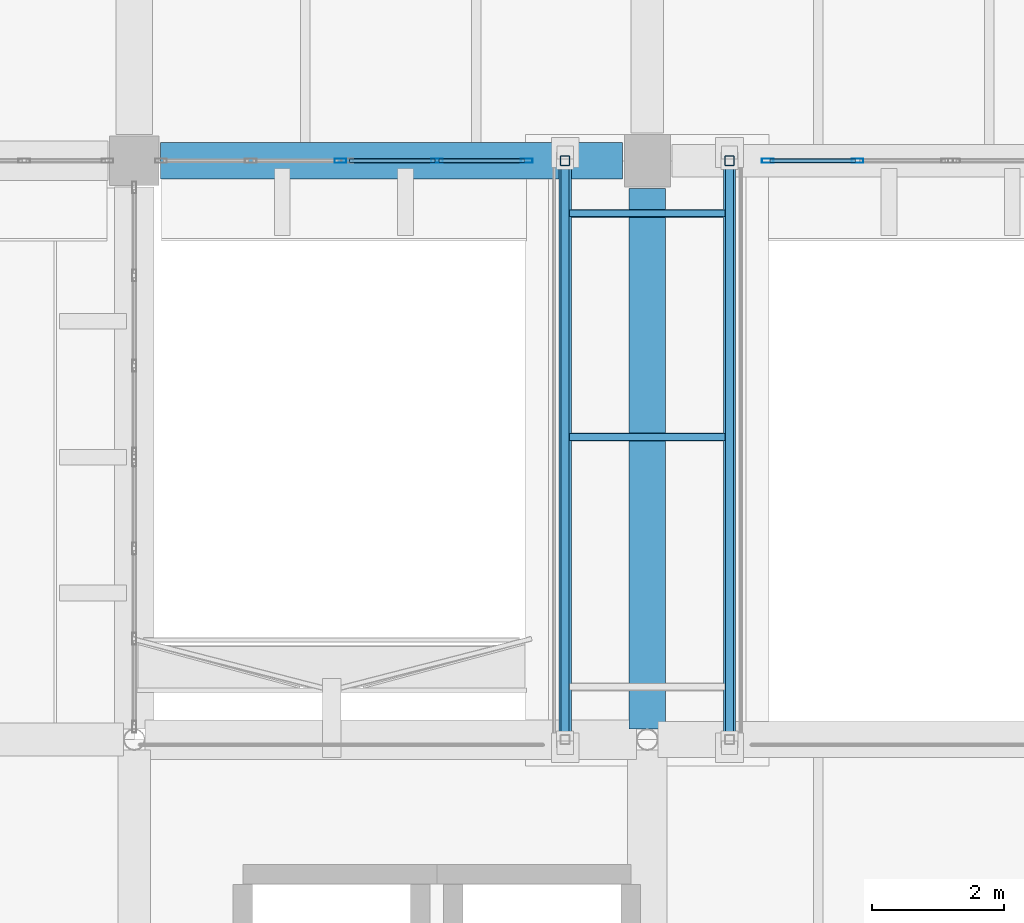
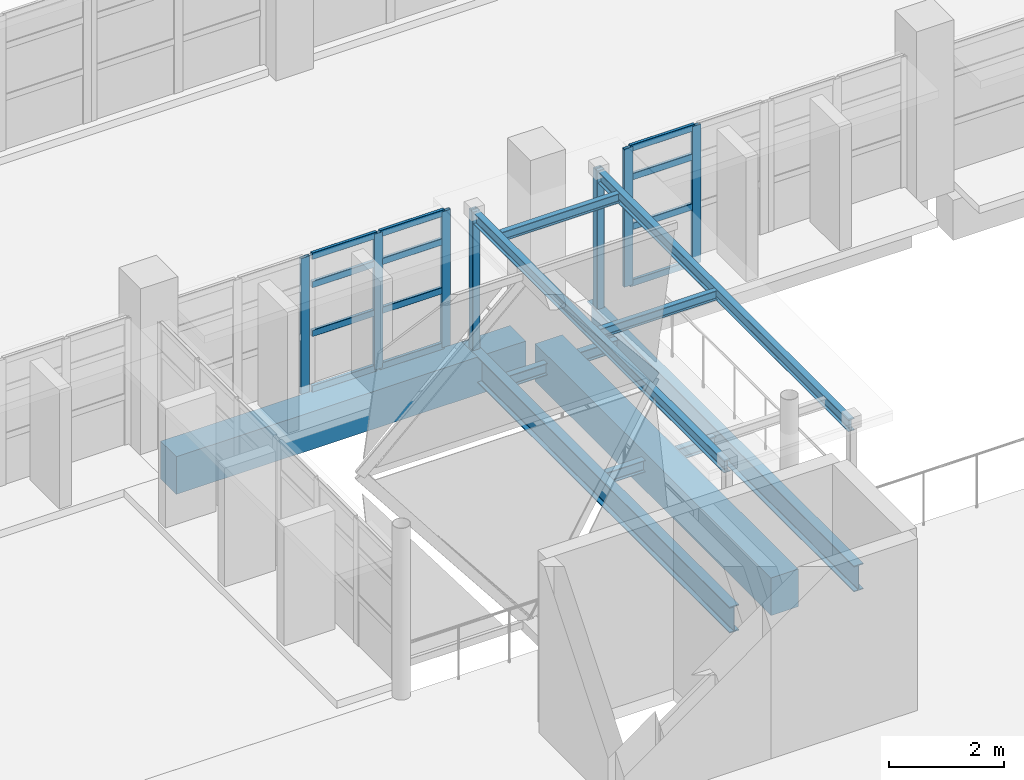
# One storey, part 24 of 80: 19 members, 10 beams, 3 elements without a shape of their own.
"""IFC4 building model written with IfcOpenShell, lengths in metres."""

import ifcopenshell
import ifcopenshell.guid

model = None  # the IFC model being written
_history = None  # IfcOwnerHistory: only IFC2X3 demands one
_inside = {}  # id of a spatial element -> (the spatial element, [elements in it])
_under = {}  # id of a project, library or spatial element -> (it, [spatial elements below it])
_declared = {}  # id of a project -> (the project, [libraries it declares])
_typed = {}  # id of a type object -> (the type object, [elements of that type])
_made_of = {}  # id of a material, layer set ... -> (it, [elements and type objects made of it])


def new_model(schema):
    """Start an empty IFC model of exactly this schema.

    Asked for "IFC4X3", IfcOpenShell would pick the latest addendum, in which some entities
    have other attributes; the version numbers below select the first issue.
    IFC2X3 requires an IfcOwnerHistory on every rooted entity: one is made here for all.
    """
    global model, _history
    if schema == "IFC4X3":
        model = ifcopenshell.file(schema_version=(4, 3, 0, 0))
    else:
        model = ifcopenshell.file(schema=schema)
    _inside.clear()
    _under.clear()
    _declared.clear()
    _typed.clear()
    _made_of.clear()
    _history = None
    if model.schema == "IFC2X3":
        org = make("IfcOrganization", Name="unknown")
        user = make(
            "IfcPersonAndOrganization",
            ThePerson=make("IfcPerson", FamilyName="unknown"),
            TheOrganization=org,
        )
        app = make(
            "IfcApplication",
            ApplicationDeveloper=org,
            Version="unknown",
            ApplicationFullName="unknown",
            ApplicationIdentifier="unknown",
        )
        _history = make(
            "IfcOwnerHistory",
            OwningUser=user,
            OwningApplication=app,
            ChangeAction="ADDED",
            CreationDate=0,
        )
    return model


def make(cls, **values):
    """One entity of the class cls with the attributes given. An attribute that is None is left unset."""
    return model.create_entity(
        cls, **{name: value for name, value in values.items() if value is not None}
    )


def rooted(cls, **values):
    """An entity with a GlobalId (a new one), such as an element, a storey or a relation."""
    return make(cls, GlobalId=ifcopenshell.guid.new(), OwnerHistory=_history, **values)


def si_unit(unit_type, name, prefix=None):
    """IfcSIUnit, for example si_unit("LENGTHUNIT", "METRE", prefix="MILLI")."""
    return make("IfcSIUnit", UnitType=unit_type, Prefix=prefix, Name=name)


def assignment(units):
    """IfcUnitAssignment: the units of a project."""
    return None if units is None else make("IfcUnitAssignment", Units=units)


def point(xyz):
    """IfcCartesianPoint."""
    return None if xyz is None else make("IfcCartesianPoint", Coordinates=xyz)


def direction(xyz):
    """IfcDirection."""
    return None if xyz is None else make("IfcDirection", DirectionRatios=xyz)


def frame(location, z_axis=None, x_axis=None):
    """IfcAxis2Placement3D, a coordinate frame: its origin and axes. An axis left out is left unset."""
    return make(
        "IfcAxis2Placement3D",
        Location=point(location),
        Axis=direction(z_axis),
        RefDirection=direction(x_axis),
    )


def frame_2d(location, x_axis=None):
    """IfcAxis2Placement2D, a coordinate frame in the plane: its origin and x axis."""
    return make(
        "IfcAxis2Placement2D", Location=point(location), RefDirection=direction(x_axis)
    )


def origin():
    """The frame at (0, 0, 0) with its axes left unset."""
    return frame((0.0, 0.0, 0.0))


def origin_2d():
    """The frame at (0, 0) in the plane with its x axis left unset."""
    return frame_2d((0.0, 0.0))


def place(relative_to, where):
    """IfcLocalPlacement: puts the frame where relative to a parent placement (None: the world)."""
    return make(
        "IfcLocalPlacement", PlacementRelTo=relative_to, RelativePlacement=where
    )


def context(
    kind, dimensions, precision=None, world=None, true_north=None, identifier=None
):
    """IfcGeometricRepresentationContext, for example the 3D "Model" context."""
    return make(
        "IfcGeometricRepresentationContext",
        ContextIdentifier=identifier,
        ContextType=kind,
        CoordinateSpaceDimension=dimensions,
        Precision=precision,
        WorldCoordinateSystem=world,
        TrueNorth=true_north,
    )


def subcontext(parent, identifier, kind, view, scale=None):
    """IfcGeometricRepresentationSubContext, for example "Body" below "Model"."""
    return make(
        "IfcGeometricRepresentationSubContext",
        ContextIdentifier=identifier,
        ContextType=kind,
        ParentContext=parent,
        TargetScale=scale,
        TargetView=view,
    )


def project(units=None, contexts=None):
    """IfcProject with its units and contexts."""
    return rooted(
        "IfcProject",
        Name="project",
        RepresentationContexts=contexts,
        UnitsInContext=assignment(units),
    )


def spatial(cls, under=None, at=None, **own):
    """A site, building, storey or space (cls), placed at a placement, below another one or the project."""
    s = rooted(cls, ObjectPlacement=at, **own)
    if under is not None:
        _under.setdefault(under.id(), (under, []))[1].append(s)
    return s


def profile(cls, at=None, kind="AREA", **sizes):
    """A parametric profile (cls). Its sizes go by their IFC names, for example OverallWidth=200.0."""
    return make(cls, ProfileType=kind, Position=at, **sizes)


def rectangle(**sizes):
    """IfcRectangleProfileDef."""
    return profile("IfcRectangleProfileDef", **sizes)


def hollow_rectangle(**sizes):
    """IfcRectangleHollowProfileDef."""
    return profile("IfcRectangleHollowProfileDef", **sizes)


def i_section(**sizes):
    """IfcIShapeProfileDef."""
    return profile("IfcIShapeProfileDef", **sizes)


def extrude(swept, where, along, depth):
    """IfcExtrudedAreaSolid: the profile swept, set in the frame where, extruded along a direction by depth."""
    return make(
        "IfcExtrudedAreaSolid",
        SweptArea=swept,
        Position=where,
        ExtrudedDirection=direction(along),
        Depth=depth,
    )


def shape(context_of_items, identifier, shape_type, items):
    """IfcShapeRepresentation: the items that make up one representation, for example the "Body"."""
    return make(
        "IfcShapeRepresentation",
        ContextOfItems=context_of_items,
        RepresentationIdentifier=identifier,
        RepresentationType=shape_type,
        Items=items,
    )


def material(Name=None, Category=None):
    """IfcMaterial."""
    return make("IfcMaterial", Name=Name, Category=Category)


def material_profile(
    of_material, cross_section, Name=None, Category=None, Priority=None
):
    """IfcMaterialProfile: a cross section and its material."""
    return make(
        "IfcMaterialProfile",
        Name=Name,
        Material=of_material,
        Profile=cross_section,
        Priority=Priority,
        Category=Category,
    )


def profile_set(profiles, Name=None, composite=None):
    """IfcMaterialProfileSet."""
    return make(
        "IfcMaterialProfileSet",
        Name=Name,
        MaterialProfiles=profiles,
        CompositeProfile=composite,
    )


def made_of(thing, what):
    """Note that an element or type object is made of a material, layer set ...; save() writes the relation."""
    if what is not None:
        _made_of.setdefault(what.id(), (what, []))[1].append(thing)
    return thing


def type_object(cls, material=None, **own):
    """A type object (cls), such as IfcWallType, which elements share."""
    return made_of(rooted(cls, **own), material)


def element(
    cls,
    number,
    at=None,
    inside=None,
    cuts=None,
    type_object=None,
    material=None,
    context=None,
    identifier="Body",
    shape_type=None,
    held_by="IfcProductDefinitionShape",
    body=None,
    shapes=None,
    **own,
):
    """One element of the class cls, such as IfcWall. Its Tag is "e" and its number.

    at: its placement. inside: the storey or other place that contains it. cuts: it is an
    opening in that element (IfcRelVoidsElement). A single representation is given by context,
    identifier, shape_type and body (its items); several are given by shapes. held_by: the class
    of the entity that holds the representations. save() writes the other relations.
    """
    e = rooted(cls, Tag="e%d" % number, ObjectPlacement=at, **own)
    if body is not None:
        shapes = [shape(context, identifier, shape_type, body)]
    if shapes is not None:
        e.Representation = make(held_by, Representations=shapes)
    if inside is not None:
        _inside.setdefault(inside.id(), (inside, []))[1].append(e)
    if cuts is not None:
        rooted(
            "IfcRelVoidsElement", RelatingBuildingElement=cuts, RelatedOpeningElement=e
        )
    if type_object is not None:
        _typed.setdefault(type_object.id(), (type_object, []))[1].append(e)
    return made_of(e, material)


def aggregate(whole, parts):
    """IfcRelAggregates: a whole, such as a stair, and the parts it consists of."""
    return rooted("IfcRelAggregates", RelatingObject=whole, RelatedObjects=parts)


def save(model, path):
    """Write the relations noted so far, then the file.

    IfcRelAggregates (storeys below a building ...), IfcRelContainedInSpatialStructure (elements
    in a storey), IfcRelDefinesByType, IfcRelAssociatesMaterial and IfcRelDeclares: one each for
    every whole, place, type object, material and project.
    """
    for whole, parts in _under.values():
        aggregate(whole, parts)
    for where, things in _inside.values():
        rooted(
            "IfcRelContainedInSpatialStructure",
            RelatedElements=things,
            RelatingStructure=where,
        )
    for kind, things in _typed.values():
        rooted("IfcRelDefinesByType", RelatedObjects=things, RelatingType=kind)
    for what, things in _made_of.values():
        rooted("IfcRelAssociatesMaterial", RelatedObjects=things, RelatingMaterial=what)
    for by, libraries in _declared.values():
        rooted("IfcRelDeclares", RelatingContext=by, RelatedDefinitions=libraries)
    model.write(path)


model = new_model("IFC4")

# Units and contexts
model_context = context("Model", 3, precision=1e-05, world=origin(), true_north=direction((0.0, 1.0)))
body_context = subcontext(model_context, "Body", "Model", "MODEL_VIEW")
ifc_project = project(units=[si_unit("LENGTHUNIT", "METRE"), si_unit("AREAUNIT", "SQUARE_METRE"), si_unit("VOLUMEUNIT", "CUBIC_METRE"), si_unit("PLANEANGLEUNIT", "RADIAN"), si_unit("MASSUNIT", "GRAM", prefix="KILO")], contexts=[model_context])

# Site, building, storey
site_placement = place(None, origin())
site = spatial("IfcSite", under=ifc_project, at=site_placement, CompositionType="ELEMENT")
building_placement = place(site_placement, origin())
building = spatial("IfcBuilding", under=site, at=building_placement, Name="Varnakota Cinema and Media Centre", CompositionType="ELEMENT")
storey_placement = place(building_placement, frame((0.0, 0.0, 4.5)))
storey = spatial("IfcBuildingStorey", under=building, at=storey_placement, Name="L01", CompositionType="ELEMENT", Elevation=4.5)

# Beams
ifc_material_1 = material(Name="Concrete M35", Category="concrete")
ifc_material_profile_1 = material_profile(ifc_material_1, rectangle(XDim=0.550048828125, YDim=0.800048828125, at=origin_2d()), Name="RCB 550x800")
ifc_profile_set_1 = profile_set([ifc_material_profile_1], Name="Concrete M35")
beam_type_1 = type_object("IfcBeamType", Name="BM-RC-550x800", PredefinedType="BEAM", material=ifc_profile_set_1)
beam_1_placement = place(storey_placement, frame((52.0, 35.199951171875, -0.64990234375), z_axis=(1.0, 0.0, 0.0), x_axis=(0.0, 1.0, 0.0)))
element("IfcBeam", 1, at=beam_1_placement, inside=storey, type_object=beam_type_1, Name="L01 girder G-H/5", PredefinedType="BEAM", context=body_context, shape_type="SweptSolid", body=[
    extrude(rectangle(XDim=0.550048828125, YDim=0.800048828125, at=origin_2d()), origin(), (0.0, 0.0, 1.0), 7.02490234375),
])
beam_2_placement = place(storey_placement, frame((59.39990234375, 26.56201171875, -0.64990234375), z_axis=(0.0, 1.0, 0.0), x_axis=(-1.0, 0.0, 0.0)))
element("IfcBeam", 2, at=beam_2_placement, inside=storey, type_object=beam_type_1, Name="L01 girder H/4-5", PredefinedType="BEAM", context=body_context, shape_type="SweptSolid", body=[
    extrude(rectangle(XDim=0.550048828125, YDim=0.800048828125, at=origin_2d()), origin(), (0.0, 0.0, 1.0), 8.212890625),
])
ifc_material_2 = material(Name="Structural steel Grade 350 (E350)", Category="steel")
ifc_material_profile_2 = material_profile(ifc_material_2, i_section(OverallWidth=0.10009765625, OverallDepth=0.199951171875, WebThickness=0.005615234375, FlangeThickness=0.0107421875, FilletRadius=0.010986328125, at=origin_2d()), Name="ISMB 200")
ifc_profile_set_2 = profile_set([ifc_material_profile_2], Name="Structural steel Grade 350 (E350)")
beam_type_2 = type_object("IfcBeamType", Name="BM-ST-ISMB200", PredefinedType="JOIST", material=ifc_profile_set_2)
for number, where, z_axis, x_axis, name in (
    (3, (58.219970703125, 31.0, 2.590087890625), (1.0, 0.0, 0.0), (0.0, 1.0, 0.0), "L01 Chowk sky-bridge BR1 canopy tie 2"),
    (4, (58.219970703125, 34.39990234375, 2.590087890625), (1.0, 0.0, 0.0), (0.0, 1.0, 0.0), "L01 Chowk sky-bridge BR1 canopy tie 3"),
):
    element("IfcBeam", number, at=place(storey_placement, frame(where, z_axis=z_axis, x_axis=x_axis)), inside=storey, type_object=beam_type_2, Name=name, PredefinedType="JOIST", context=body_context, shape_type="SweptSolid", body=[
        extrude(i_section(OverallWidth=0.10009765625, OverallDepth=0.199951171875, WebThickness=0.005615234375, FlangeThickness=0.0107421875, FilletRadius=0.010986328125, at=origin_2d()), origin(), (0.0, 0.0, 1.0), 2.360107421875),
    ])
ifc_material_3 = material(Name="Structural steel Grade 350 (E350)", Category="steel")
ifc_material_profile_3 = material_profile(ifc_material_3, i_section(OverallWidth=0.125, OverallDepth=0.25, WebThickness=0.0068359375, FlangeThickness=0.012451171875, FilletRadius=0.012939453125, at=origin_2d()), Name="ISMB 250")
ifc_profile_set_3 = profile_set([ifc_material_profile_3], Name="Structural steel Grade 350 (E350)")
beam_type_3 = type_object("IfcBeamType", Name="BM-ST-ISMB250", PredefinedType="JOIST", material=ifc_profile_set_3)
for number, where, z_axis, x_axis, name in (
    (5, (58.14990234375, 26.39990234375, 2.56494140625), (0.0, 1.0, 0.0), (-1.0, 0.0, 0.0), "L01 Chowk sky-bridge BR1 canopy beam 1"),
    (6, (60.64990234375, 26.39990234375, 2.56494140625), (0.0, 1.0, 0.0), (-1.0, 0.0, 0.0), "L01 Chowk sky-bridge BR1 canopy beam 2"),
):
    element("IfcBeam", number, at=place(storey_placement, frame(where, z_axis=z_axis, x_axis=x_axis)), inside=storey, type_object=beam_type_3, Name=name, PredefinedType="JOIST", context=body_context, shape_type="SweptSolid", body=[
        extrude(i_section(OverallWidth=0.125, OverallDepth=0.25, WebThickness=0.0068359375, FlangeThickness=0.012451171875, FilletRadius=0.012939453125, at=origin_2d()), origin(), (0.0, 0.0, 1.0), 8.800048828125),
    ])
for number, where, z_axis, x_axis, name in (
    (7, (58.25, 31.0, -0.52490234375), (1.0, 0.0, 0.0), (0.0, 1.0, 0.0), "L01 Chowk sky-bridge BR1 cross beam 2"),
    (8, (58.25, 34.39990234375, -0.52490234375), (1.0, 0.0, 0.0), (0.0, 1.0, 0.0), "L01 Chowk sky-bridge BR1 cross beam 3"),
):
    element("IfcBeam", number, at=place(storey_placement, frame(where, z_axis=z_axis, x_axis=x_axis)), inside=storey, type_object=beam_type_3, Name=name, PredefinedType="JOIST", context=body_context, shape_type="SweptSolid", body=[
        extrude(i_section(OverallWidth=0.125, OverallDepth=0.25, WebThickness=0.0068359375, FlangeThickness=0.012451171875, FilletRadius=0.012939453125, at=origin_2d()), origin(), (0.0, 0.0, 1.0), 2.300048828125),
    ])
ifc_material_4 = material(Name="Structural steel Grade 350 (E350)", Category="steel")
ifc_material_profile_4 = material_profile(ifc_material_4, i_section(OverallWidth=0.18994140625, OverallDepth=0.550048828125, WebThickness=0.01123046875, FlangeThickness=0.019287109375, FilletRadius=0.01806640625, at=origin_2d()), Name="ISMB 550")
ifc_profile_set_4 = profile_set([ifc_material_profile_4], Name="Structural steel Grade 350 (E350)")
beam_type_4 = type_object("IfcBeamType", Name="BM-ST-ISMB550", PredefinedType="BEAM", material=ifc_profile_set_4)
for number, where, z_axis, x_axis, name in (
    (9, (58.14990234375, 26.14990234375, -0.52490234375), (0.0, 1.0, 0.0), (-1.0, 0.0, 0.0), "L01 Chowk sky-bridge BR1 main girder 1"),
    (10, (60.64990234375, 26.14990234375, -0.52490234375), (0.0, 1.0, 0.0), (-1.0, 0.0, 0.0), "L01 Chowk sky-bridge BR1 main girder 2"),
):
    element("IfcBeam", number, at=place(storey_placement, frame(where, z_axis=z_axis, x_axis=x_axis)), inside=storey, type_object=beam_type_4, Name=name, PredefinedType="BEAM", context=body_context, shape_type="SweptSolid", body=[
        extrude(i_section(OverallWidth=0.18994140625, OverallDepth=0.550048828125, WebThickness=0.01123046875, FlangeThickness=0.019287109375, FilletRadius=0.01806640625, at=origin_2d()), origin(), (0.0, 0.0, 1.0), 9.300048828125),
    ])

# Curtain wall, members
ifc_material_5 = material(Name="Thermally broken anodised aluminium AW-6063", Category="aluminium")
curtain_wall_type_1 = type_object("IfcCurtainWallType", Name="CW-STD-279x288", PredefinedType="USERDEFINED", material=ifc_material_5)
curtain_wall_1_placement = place(storey_placement, origin())
curtain_wall_1 = element("IfcCurtainWall", 11, at=curtain_wall_1_placement, inside=storey, type_object=curtain_wall_type_1, Name="L01 curtain wall CW-L01-LINK-S-W-01-1", ObjectType="UNITISED CURTAIN WALL", PredefinedType="USERDEFINED")
ifc_material_6 = material(Name="Thermally broken anodised aluminium AW-6063", Category="aluminium")
ifc_material_profile_5 = material_profile(ifc_material_6, hollow_rectangle(XDim=0.06494140625, YDim=0.179931640625, WallThickness=0.00390625, InnerFilletRadius=0.00390625, OuterFilletRadius=0.008056640625, at=origin_2d()), Name="AL-MULLION 180x65x4")
ifc_profile_set_5 = profile_set([ifc_material_profile_5], Name="Thermally broken anodised aluminium AW-6063")
member_type_1 = type_object("IfcMemberType", Name="CWM-AL-180", PredefinedType="MULLION", material=ifc_profile_set_5)
member_1_placement = place(storey_placement, frame((57.5673828125, 35.199951171875, 0.0), z_axis=(0.0, 0.0, 1.0), x_axis=(0.0, -1.0, 0.0)))
member_1 = element("IfcMember", 12, at=member_1_placement, type_object=member_type_1, Name="CW20 mullion 1", PredefinedType="MULLION", context=body_context, shape_type="SweptSolid", body=[
    extrude(hollow_rectangle(XDim=0.06494140625, YDim=0.179931640625, WallThickness=0.00390625, InnerFilletRadius=0.00390625, OuterFilletRadius=0.008056640625, at=origin_2d()), origin(), (0.0, 0.0, 1.0), 2.885009765625),
])
member_2_placement = place(storey_placement, frame((56.203857421875, 35.199951171875, 0.0), z_axis=(0.0, 0.0, 1.0), x_axis=(0.0, -1.0, 0.0)))
member_2 = element("IfcMember", 13, at=member_2_placement, type_object=member_type_1, Name="CW20 mullion 2", PredefinedType="MULLION", context=body_context, shape_type="SweptSolid", body=[
    extrude(hollow_rectangle(XDim=0.06494140625, YDim=0.179931640625, WallThickness=0.00390625, InnerFilletRadius=0.00390625, OuterFilletRadius=0.008056640625, at=origin_2d()), origin(), (0.0, 0.0, 1.0), 2.885009765625),
])

# Curtain wall, member
curtain_wall_2_placement = place(storey_placement, origin())
curtain_wall_2 = element("IfcCurtainWall", 14, at=curtain_wall_2_placement, inside=storey, type_object=curtain_wall_type_1, Name="L01 curtain wall CW-L01-LINK-S-W-01-2", ObjectType="UNITISED CURTAIN WALL", PredefinedType="USERDEFINED")
member_3_placement = place(storey_placement, frame((54.735107421875, 35.199951171875, 0.0), z_axis=(0.0, 0.0, 1.0), x_axis=(0.0, -1.0, 0.0)))
member_3 = element("IfcMember", 15, at=member_3_placement, type_object=member_type_1, Name="CW20 mullion 1", PredefinedType="MULLION", context=body_context, shape_type="SweptSolid", body=[
    extrude(hollow_rectangle(XDim=0.06494140625, YDim=0.179931640625, WallThickness=0.00390625, InnerFilletRadius=0.00390625, OuterFilletRadius=0.008056640625, at=origin_2d()), origin(), (0.0, 0.0, 1.0), 2.885009765625),
])
aggregate(curtain_wall_2, [member_3])

# Curtain wall, members
ifc_material_7 = material(Name="Thermally broken anodised aluminium AW-6063", Category="aluminium")
curtain_wall_type_2 = type_object("IfcCurtainWallType", Name="CW-STD-279x294", PredefinedType="USERDEFINED", material=ifc_material_7)
curtain_wall_3_placement = place(storey_placement, origin())
curtain_wall_3 = element("IfcCurtainWall", 16, at=curtain_wall_3_placement, inside=storey, type_object=curtain_wall_type_2, Name="L01 curtain wall CW-L01-LINK-S-E-02-2", ObjectType="UNITISED CURTAIN WALL", PredefinedType="USERDEFINED")
member_4_placement = place(storey_placement, frame((62.59619140625, 35.199951171875, 0.0), z_axis=(0.0, 0.0, 1.0), x_axis=(0.0, -1.0, 0.0)))
member_4 = element("IfcMember", 17, at=member_4_placement, type_object=member_type_1, Name="CW23 mullion 2", PredefinedType="MULLION", context=body_context, shape_type="SweptSolid", body=[
    extrude(hollow_rectangle(XDim=0.06494140625, YDim=0.179931640625, WallThickness=0.00390625, InnerFilletRadius=0.00390625, OuterFilletRadius=0.008056640625, at=origin_2d()), origin(), (0.0, 0.0, 1.0), 2.93505859375),
])
member_5_placement = place(storey_placement, frame((61.232421875, 35.199951171875, 0.0), z_axis=(0.0, 0.0, 1.0), x_axis=(0.0, -1.0, 0.0)))
member_5 = element("IfcMember", 18, at=member_5_placement, type_object=member_type_1, Name="CW23 mullion 3", PredefinedType="MULLION", context=body_context, shape_type="SweptSolid", body=[
    extrude(hollow_rectangle(XDim=0.06494140625, YDim=0.179931640625, WallThickness=0.00390625, InnerFilletRadius=0.00390625, OuterFilletRadius=0.008056640625, at=origin_2d()), origin(), (0.0, 0.0, 1.0), 2.93505859375),
])

# Member
ifc_material_8 = material(Name="Thermally broken anodised aluminium AW-6063", Category="aluminium")
ifc_material_profile_6 = material_profile(ifc_material_8, hollow_rectangle(XDim=0.06494140625, YDim=0.139892578125, WallThickness=0.00390625, InnerFilletRadius=0.00390625, OuterFilletRadius=0.008056640625, at=origin_2d()), Name="AL-TRANSOM 140x65x4")
ifc_profile_set_6 = profile_set([ifc_material_profile_6], Name="Thermally broken anodised aluminium AW-6063")
member_type_2 = type_object("IfcMemberType", Name="CWT-AL-140", PredefinedType="USERDEFINED", material=ifc_profile_set_6)
member_6_placement = place(storey_placement, frame((57.534912109375, 35.199951171875, 0.032470703125), z_axis=(-1.0, 0.0, 0.0), x_axis=(0.0, -1.0, 0.0)))
member_6 = element("IfcMember", 19, at=member_6_placement, type_object=member_type_2, Name="CW20 transom 1.1", ObjectType="TRANSOM", PredefinedType="USERDEFINED", context=body_context, shape_type="SweptSolid", body=[
    extrude(hollow_rectangle(XDim=0.06494140625, YDim=0.139892578125, WallThickness=0.00390625, InnerFilletRadius=0.00390625, OuterFilletRadius=0.008056640625, at=origin_2d()), origin(), (0.0, 0.0, 1.0), 1.298583984375),
])

member_7_placement = place(storey_placement, frame((57.534912109375, 35.199951171875, 1.211669921875), z_axis=(-1.0, 0.0, 0.0), x_axis=(0.0, -1.0, 0.0)))
member_7 = element("IfcMember", 20, at=member_7_placement, type_object=member_type_2, Name="CW20 transom 1.2", ObjectType="TRANSOM", PredefinedType="USERDEFINED", context=body_context, shape_type="SweptSolid", body=[
    extrude(hollow_rectangle(XDim=0.06494140625, YDim=0.139892578125, WallThickness=0.00390625, InnerFilletRadius=0.00390625, OuterFilletRadius=0.008056640625, at=origin_2d()), origin(), (0.0, 0.0, 1.0), 1.298583984375),
])

member_8_placement = place(storey_placement, frame((57.534912109375, 35.199951171875, 2.250244140625), z_axis=(-1.0, 0.0, 0.0), x_axis=(0.0, -1.0, 0.0)))
member_8 = element("IfcMember", 21, at=member_8_placement, type_object=member_type_2, Name="CW20 transom 1.3", ObjectType="TRANSOM", PredefinedType="USERDEFINED", context=body_context, shape_type="SweptSolid", body=[
    extrude(hollow_rectangle(XDim=0.06494140625, YDim=0.139892578125, WallThickness=0.00390625, InnerFilletRadius=0.00390625, OuterFilletRadius=0.008056640625, at=origin_2d()), origin(), (0.0, 0.0, 1.0), 1.298583984375),
])

member_9_placement = place(storey_placement, frame((57.534912109375, 35.199951171875, 2.8525390625), z_axis=(-1.0, 0.0, 0.0), x_axis=(0.0, -1.0, 0.0)))
member_9 = element("IfcMember", 22, at=member_9_placement, type_object=member_type_2, Name="CW20 transom 1.4", ObjectType="TRANSOM", PredefinedType="USERDEFINED", context=body_context, shape_type="SweptSolid", body=[
    extrude(hollow_rectangle(XDim=0.06494140625, YDim=0.139892578125, WallThickness=0.00390625, InnerFilletRadius=0.00390625, OuterFilletRadius=0.008056640625, at=origin_2d()), origin(), (0.0, 0.0, 1.0), 1.298583984375),
])

member_10_placement = place(storey_placement, frame((56.171142578125, 35.199951171875, 0.032470703125), z_axis=(-1.0, 0.0, 0.0), x_axis=(0.0, -1.0, 0.0)))
member_10 = element("IfcMember", 23, at=member_10_placement, type_object=member_type_2, Name="CW20 transom 2.1", ObjectType="TRANSOM", PredefinedType="USERDEFINED", context=body_context, shape_type="SweptSolid", body=[
    extrude(hollow_rectangle(XDim=0.06494140625, YDim=0.139892578125, WallThickness=0.00390625, InnerFilletRadius=0.00390625, OuterFilletRadius=0.008056640625, at=origin_2d()), origin(), (0.0, 0.0, 1.0), 1.298583984375),
])

member_11_placement = place(storey_placement, frame((56.171142578125, 35.199951171875, 1.211669921875), z_axis=(-1.0, 0.0, 0.0), x_axis=(0.0, -1.0, 0.0)))
member_11 = element("IfcMember", 24, at=member_11_placement, type_object=member_type_2, Name="CW20 transom 2.2", ObjectType="TRANSOM", PredefinedType="USERDEFINED", context=body_context, shape_type="SweptSolid", body=[
    extrude(hollow_rectangle(XDim=0.06494140625, YDim=0.139892578125, WallThickness=0.00390625, InnerFilletRadius=0.00390625, OuterFilletRadius=0.008056640625, at=origin_2d()), origin(), (0.0, 0.0, 1.0), 1.298583984375),
])

member_12_placement = place(storey_placement, frame((56.171142578125, 35.199951171875, 2.250244140625), z_axis=(-1.0, 0.0, 0.0), x_axis=(0.0, -1.0, 0.0)))
member_12 = element("IfcMember", 25, at=member_12_placement, type_object=member_type_2, Name="CW20 transom 2.3", ObjectType="TRANSOM", PredefinedType="USERDEFINED", context=body_context, shape_type="SweptSolid", body=[
    extrude(hollow_rectangle(XDim=0.06494140625, YDim=0.139892578125, WallThickness=0.00390625, InnerFilletRadius=0.00390625, OuterFilletRadius=0.008056640625, at=origin_2d()), origin(), (0.0, 0.0, 1.0), 1.298583984375),
])

member_13_placement = place(storey_placement, frame((56.171142578125, 35.199951171875, 2.8525390625), z_axis=(-1.0, 0.0, 0.0), x_axis=(0.0, -1.0, 0.0)))
member_13 = element("IfcMember", 26, at=member_13_placement, type_object=member_type_2, Name="CW20 transom 2.4", ObjectType="TRANSOM", PredefinedType="USERDEFINED", context=body_context, shape_type="SweptSolid", body=[
    extrude(hollow_rectangle(XDim=0.06494140625, YDim=0.139892578125, WallThickness=0.00390625, InnerFilletRadius=0.00390625, OuterFilletRadius=0.008056640625, at=origin_2d()), origin(), (0.0, 0.0, 1.0), 1.298583984375),
])

aggregate(curtain_wall_1, [member_1, member_2, member_6, member_7, member_8, member_9, member_10, member_11, member_12, member_13])

member_14_placement = place(storey_placement, frame((62.563720703125, 35.199951171875, 0.032470703125), z_axis=(-1.0, 0.0, 0.0), x_axis=(0.0, -1.0, 0.0)))
member_14 = element("IfcMember", 27, at=member_14_placement, type_object=member_type_2, Name="CW23 transom 2.1", ObjectType="TRANSOM", PredefinedType="USERDEFINED", context=body_context, shape_type="SweptSolid", body=[
    extrude(hollow_rectangle(XDim=0.06494140625, YDim=0.139892578125, WallThickness=0.00390625, InnerFilletRadius=0.00390625, OuterFilletRadius=0.008056640625, at=origin_2d()), origin(), (0.0, 0.0, 1.0), 1.298828125),
])

member_15_placement = place(storey_placement, frame((62.563720703125, 35.199951171875, 1.232666015625), z_axis=(-1.0, 0.0, 0.0), x_axis=(0.0, -1.0, 0.0)))
member_15 = element("IfcMember", 28, at=member_15_placement, type_object=member_type_2, Name="CW23 transom 2.2", ObjectType="TRANSOM", PredefinedType="USERDEFINED", context=body_context, shape_type="SweptSolid", body=[
    extrude(hollow_rectangle(XDim=0.06494140625, YDim=0.139892578125, WallThickness=0.00390625, InnerFilletRadius=0.00390625, OuterFilletRadius=0.008056640625, at=origin_2d()), origin(), (0.0, 0.0, 1.0), 1.298828125),
])

member_16_placement = place(storey_placement, frame((62.563720703125, 35.199951171875, 2.289306640625), z_axis=(-1.0, 0.0, 0.0), x_axis=(0.0, -1.0, 0.0)))
member_16 = element("IfcMember", 29, at=member_16_placement, type_object=member_type_2, Name="CW23 transom 2.3", ObjectType="TRANSOM", PredefinedType="USERDEFINED", context=body_context, shape_type="SweptSolid", body=[
    extrude(hollow_rectangle(XDim=0.06494140625, YDim=0.139892578125, WallThickness=0.00390625, InnerFilletRadius=0.00390625, OuterFilletRadius=0.008056640625, at=origin_2d()), origin(), (0.0, 0.0, 1.0), 1.298828125),
])

member_17_placement = place(storey_placement, frame((62.563720703125, 35.199951171875, 2.902587890625), z_axis=(-1.0, 0.0, 0.0), x_axis=(0.0, -1.0, 0.0)))
member_17 = element("IfcMember", 30, at=member_17_placement, type_object=member_type_2, Name="CW23 transom 2.4", ObjectType="TRANSOM", PredefinedType="USERDEFINED", context=body_context, shape_type="SweptSolid", body=[
    extrude(hollow_rectangle(XDim=0.06494140625, YDim=0.139892578125, WallThickness=0.00390625, InnerFilletRadius=0.00390625, OuterFilletRadius=0.008056640625, at=origin_2d()), origin(), (0.0, 0.0, 1.0), 1.298828125),
])

aggregate(curtain_wall_3, [member_4, member_5, member_14, member_15, member_16, member_17])

# Members
ifc_material_9 = material(Name="Structural steel S355 (YSt 355)", Category="steel")
ifc_material_profile_7 = material_profile(ifc_material_9, hollow_rectangle(XDim=0.14990234375, YDim=0.14990234375, WallThickness=0.008056640625, InnerFilletRadius=0.008056640625, OuterFilletRadius=0.01611328125, at=origin_2d()), Name="SHS 150x150x8")
ifc_profile_set_7 = profile_set([ifc_material_profile_7], Name="Structural steel S355 (YSt 355)")
member_type_3 = type_object("IfcMemberType", Name="MEM-ST-SHS150x150x8", PredefinedType="STRUT", material=ifc_profile_set_7)
for number, where, z_axis, x_axis, name in (
    (31, (58.14990234375, 35.199951171875, -0.25), (0.0, 0.0, 1.0), (1.0, 0.0, 0.0), "L01 Chowk sky-bridge BR1 canopy frame strut 1.2"),
    (32, (60.64990234375, 35.199951171875, -0.25), (0.0, 0.0, 1.0), (1.0, 0.0, 0.0), "L01 Chowk sky-bridge BR1 canopy frame strut 2.2"),
):
    element("IfcMember", number, at=place(storey_placement, frame(where, z_axis=z_axis, x_axis=x_axis)), inside=storey, type_object=member_type_3, Name=name, PredefinedType="STRUT", context=body_context, shape_type="SweptSolid", body=[
        extrude(hollow_rectangle(XDim=0.14990234375, YDim=0.14990234375, WallThickness=0.008056640625, InnerFilletRadius=0.008056640625, OuterFilletRadius=0.01611328125, at=origin_2d()), origin(), (0.0, 0.0, 1.0), 2.93994140625),
    ])

save(model, "model.ifc")
